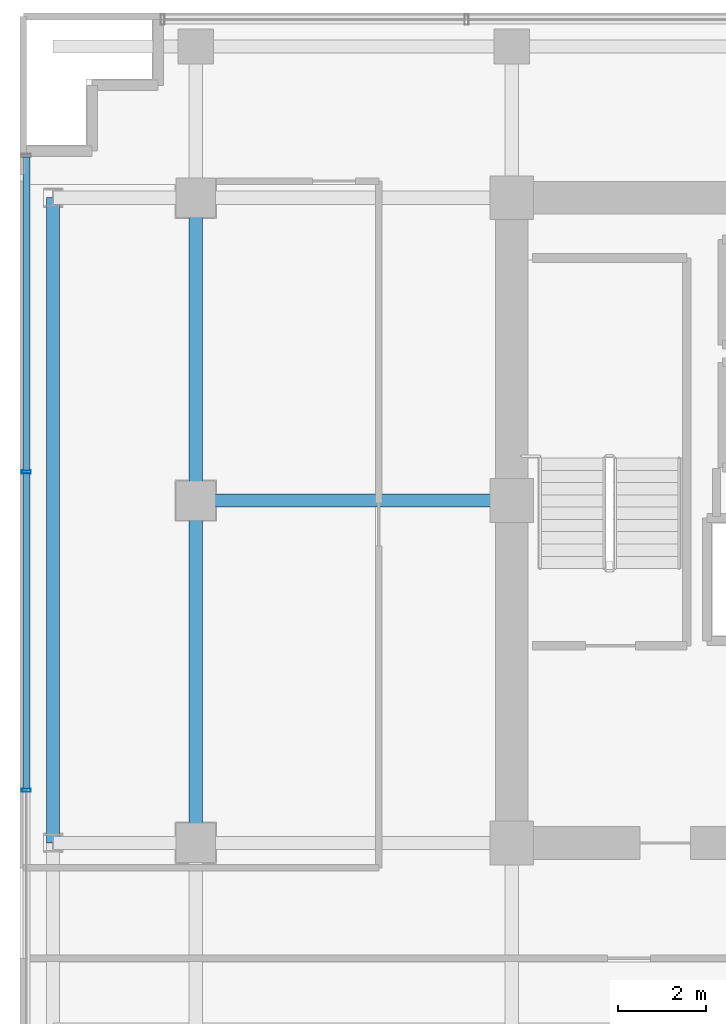
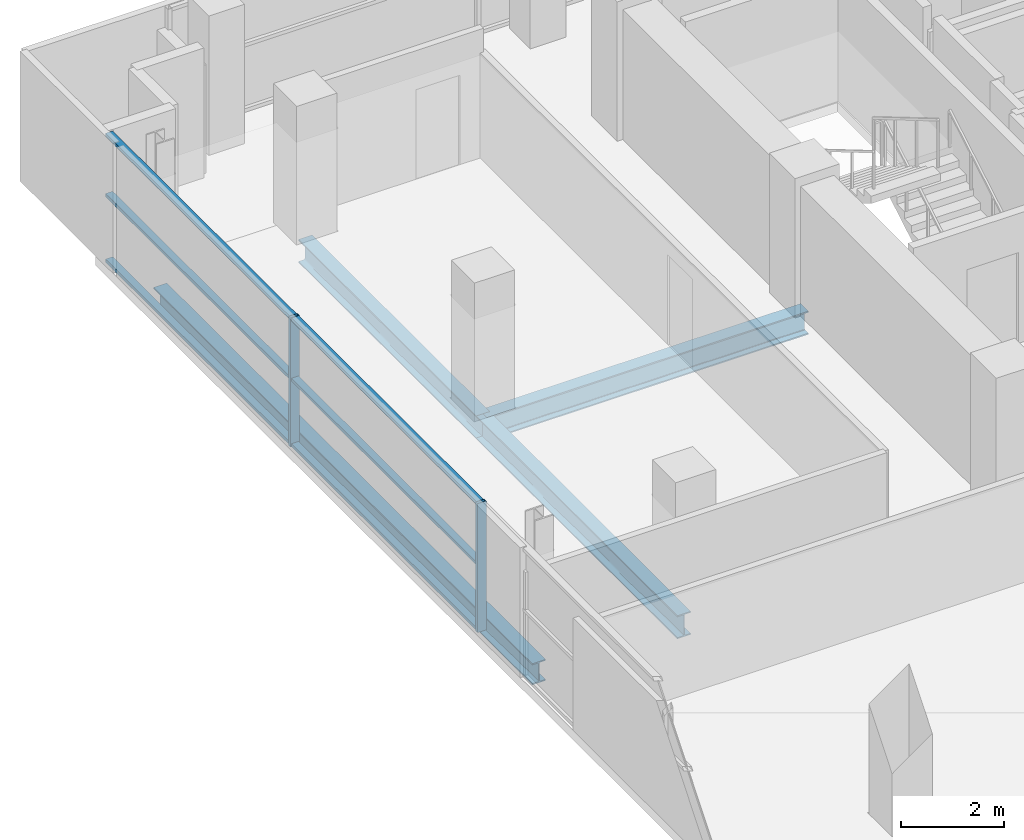
# One storey, part 9 of 25: 8 members, 4 beams, 1 element without a shape of its own.
"""IFC4 building model written with IfcOpenShell, lengths in metres."""

from ifc_helpers import new_model, si_unit, direction, frame, origin, origin_2d, place, context, subcontext, project, spatial, hollow_rectangle, i_section, extrude, source, transform, mapped, material, layer, layer_set, material_profile, profile_set, type_object, element, aggregate, save


model = new_model("IFC4")

# Units and contexts
model_context = context("Model", 3, precision=1e-05, world=origin(), true_north=direction((0.0, 1.0)))
body_context = subcontext(model_context, "Body", "Model", "MODEL_VIEW")
ifc_project = project(units=[si_unit("LENGTHUNIT", "METRE"), si_unit("AREAUNIT", "SQUARE_METRE"), si_unit("VOLUMEUNIT", "CUBIC_METRE"), si_unit("PLANEANGLEUNIT", "RADIAN"), si_unit("MASSUNIT", "GRAM", prefix="KILO")], contexts=[model_context])

# Site, building, storey
site_placement = place(None, origin())
site = spatial("IfcSite", under=ifc_project, at=site_placement, CompositionType="ELEMENT")
building_placement = place(site_placement, origin())
building = spatial("IfcBuilding", under=site, at=building_placement, Name="Zarnakvel Exchange Tower", CompositionType="ELEMENT")
storey_placement = place(building_placement, frame((0.0, 0.0, 126.39990234375)))
storey = spatial("IfcBuildingStorey", under=building, at=storey_placement, Name="L35", CompositionType="ELEMENT", Elevation=126.39990234375)

# Beams
ifc_material_1 = material(Name="Steel S355", Category="steel")
ifc_material_profile_1 = material_profile(ifc_material_1, i_section(OverallWidth=0.300048828125, OverallDepth=0.550048828125, WebThickness=0.014892578125, FlangeThickness=0.029052734375, FilletRadius=0.027099609375, at=origin_2d()))
ifc_profile_set_1 = profile_set([ifc_material_profile_1], Name="Steel S355")
beam_type_1 = type_object("IfcBeamType", Name="G-05", PredefinedType="BEAM", material=ifc_profile_set_1)
beam_1_placement = place(storey_placement, frame((-21.60009765625, 6.60009765625, -0.5), z_axis=(1.0, 0.0, 0.0), x_axis=(0.0, 1.0, 0.0)))
element("IfcBeam", 1, at=beam_1_placement, inside=storey, type_object=beam_type_1, Name="L35 Tower E-W Frame Beam", PredefinedType="BEAM", context=body_context, shape_type="SweptSolid", body=[
    extrude(i_section(OverallWidth=0.300048828125, OverallDepth=0.550048828125, WebThickness=0.014892578125, FlangeThickness=0.029052734375, FilletRadius=0.027099609375, at=origin_2d()), origin(), (0.0, 0.0, 1.0), 7.2001953125),
])
beam_2_placement = place(storey_placement, frame((-21.60009765625, -1.199951171875, -0.5), z_axis=(0.0, 1.0, 0.0), x_axis=(-1.0, 0.0, 0.0)))
element("IfcBeam", 2, at=beam_2_placement, inside=storey, type_object=beam_type_1, Name="L35 Tower N-S Frame Beam", PredefinedType="BEAM", context=body_context, shape_type="SweptSolid", body=[
    extrude(i_section(OverallWidth=0.300048828125, OverallDepth=0.550048828125, WebThickness=0.014892578125, FlangeThickness=0.029052734375, FilletRadius=0.027099609375, at=origin_2d()), origin(), (0.0, 0.0, 1.0), 7.800048828125),
])
beam_3_placement = place(storey_placement, frame((-21.60009765625, 6.60009765625, -0.5), z_axis=(0.0, 1.0, 0.0), x_axis=(-1.0, 0.0, 0.0)))
element("IfcBeam", 3, at=beam_3_placement, inside=storey, type_object=beam_type_1, Name="L35 Tower N-S Frame Beam", PredefinedType="BEAM", context=body_context, shape_type="SweptSolid", body=[
    extrude(i_section(OverallWidth=0.300048828125, OverallDepth=0.550048828125, WebThickness=0.014892578125, FlangeThickness=0.029052734375, FilletRadius=0.027099609375, at=origin_2d()), origin(), (0.0, 0.0, 1.0), 6.89990234375),
])
ifc_material_profile_2 = material_profile(ifc_material_1, i_section(OverallWidth=0.300048828125, OverallDepth=0.5, WebThickness=0.014404296875, FlangeThickness=0.028076171875, FilletRadius=0.027099609375, at=origin_2d()))
ifc_profile_set_2 = profile_set([ifc_material_profile_2], Name="Steel S355")
beam_type_2 = type_object("IfcBeamType", Name="SP-02", PredefinedType="SPANDREL", material=ifc_profile_set_2)
beam_4_placement = place(storey_placement, frame((-24.85009765625, -1.199951171875, -0.474853515625), z_axis=(0.0, 1.0, 0.0), x_axis=(-1.0, 0.0, 0.0)))
element("IfcBeam", 4, at=beam_4_placement, inside=storey, type_object=beam_type_2, Name="L35 Tower N-S Frame Beam", PredefinedType="SPANDREL", context=body_context, shape_type="SweptSolid", body=[
    extrude(i_section(OverallWidth=0.300048828125, OverallDepth=0.5, WebThickness=0.014404296875, FlangeThickness=0.028076171875, FilletRadius=0.027099609375, at=origin_2d()), origin(), (0.0, 0.0, 1.0), 14.699951171875),
])

# Curtain wall, members
ifc_material_2 = material(Name="Architectural Bronze Anodised Aluminium", Category="aluminium")
ifc_layer = layer(ifc_material_2, 0.199951171875)
ifc_layer_set = layer_set([ifc_layer], Name="Architectural Bronze Anodised Aluminium")
curtain_wall_type = type_object("IfcCurtainWallType", Name="CW-04", PredefinedType="NOTDEFINED", material=ifc_layer_set)
curtain_wall_placement = place(storey_placement, origin())
curtain_wall = element("IfcCurtainWall", 5, at=curtain_wall_placement, inside=storey, type_object=curtain_wall_type, Name="L35 Curtain Wall CW-L35-W1 (CW-04)", PredefinedType="NOTDEFINED")
ifc_material_profile_3 = material_profile(ifc_material_2, hollow_rectangle(XDim=0.199951171875, YDim=0.074951171875, WallThickness=0.0048828125, at=origin_2d()))
ifc_profile_set_3 = profile_set([ifc_material_profile_3], Name="Architectural Bronze Anodised Aluminium")
member_type_1 = type_object("IfcMemberType", Name="CWM-04", PredefinedType="MULLION", material=ifc_profile_set_3)
shared_shape_1 = source(origin(), body_context, "Body", "SweptSolid", [
    extrude(hollow_rectangle(XDim=0.199951171875, YDim=0.074951171875, WallThickness=0.0048828125, at=origin_2d()), origin(), (0.0, 0.0, 1.0), 3.05517578125),
])
member_1_placement = place(storey_placement, frame((-25.4599609375, 0.0, 0.0), z_axis=(0.0, 0.0, 1.0), x_axis=(-1.0, 0.0, 0.0)))
member_1 = element("IfcMember", 6, at=member_1_placement, type_object=member_type_1, Name="CW-04 mullion 3", PredefinedType="MULLION", context=body_context, shape_type="MappedRepresentation", body=[
    mapped(shared_shape_1, transform((0.0, 0.0, 0.0), x_axis=(1.0, 0.0, 0.0), y_axis=(0.0, 1.0, 0.0), z_axis=(0.0, 0.0, 1.0), scale=1.0)),
])
member_2_placement = place(storey_placement, frame((-25.4599609375, 7.25, 0.0), z_axis=(0.0, 0.0, 1.0), x_axis=(-1.0, 0.0, 0.0)))
member_2 = element("IfcMember", 7, at=member_2_placement, type_object=member_type_1, Name="CW-04 mullion 4", PredefinedType="MULLION", context=body_context, shape_type="MappedRepresentation", body=[
    mapped(shared_shape_1, transform((0.0, 0.0, 0.0), x_axis=(1.0, 0.0, 0.0), y_axis=(0.0, 1.0, 0.0), z_axis=(0.0, 0.0, 1.0), scale=1.0)),
])
ifc_material_profile_4 = material_profile(ifc_material_2, hollow_rectangle(XDim=0.159912109375, YDim=0.074951171875, WallThickness=0.00390625, at=origin_2d()))
ifc_profile_set_4 = profile_set([ifc_material_profile_4], Name="Architectural Bronze Anodised Aluminium")
member_type_2 = type_object("IfcMemberType", Name="CWT-04", PredefinedType="USERDEFINED", material=ifc_profile_set_4)
shared_shape_2 = source(origin(), body_context, "Body", "SweptSolid", [
    extrude(hollow_rectangle(XDim=0.159912109375, YDim=0.074951171875, WallThickness=0.00390625, at=origin_2d()), origin(), (0.0, 0.0, 1.0), 7.137451171875),
])
member_3_placement = place(storey_placement, frame((-25.4599609375, 7.28759765625, 0.03759765625), z_axis=(0.0, 1.0, 0.0), x_axis=(-1.0, 0.0, 0.0)))
member_3 = element("IfcMember", 8, at=member_3_placement, type_object=member_type_2, Name="CW-04 transom 4.1", ObjectType="TRANSOM", PredefinedType="USERDEFINED", context=body_context, shape_type="MappedRepresentation", body=[
    mapped(shared_shape_2, transform((0.0, 0.0, 0.0), x_axis=(1.0, 0.0, 0.0), y_axis=(0.0, 1.0, 0.0), z_axis=(0.0, 0.0, 1.0), scale=1.0)),
])
member_4_placement = place(storey_placement, frame((-25.4599609375, 7.28759765625, 1.588623046875), z_axis=(0.0, 1.0, 0.0), x_axis=(-1.0, 0.0, 0.0)))
member_4 = element("IfcMember", 9, at=member_4_placement, type_object=member_type_2, Name="CW-04 transom 4.2", ObjectType="TRANSOM", PredefinedType="USERDEFINED", context=body_context, shape_type="MappedRepresentation", body=[
    mapped(shared_shape_2, transform((0.0, 0.0, 0.0), x_axis=(1.0, 0.0, 0.0), y_axis=(0.0, 1.0, 0.0), z_axis=(0.0, 0.0, 1.0), scale=1.0)),
])
member_5_placement = place(storey_placement, frame((-25.4599609375, 7.28759765625, 3.017578125), z_axis=(0.0, 1.0, 0.0), x_axis=(-1.0, 0.0, 0.0)))
member_5 = element("IfcMember", 10, at=member_5_placement, type_object=member_type_2, Name="CW-04 transom 4.3", ObjectType="TRANSOM", PredefinedType="USERDEFINED", context=body_context, shape_type="MappedRepresentation", body=[
    mapped(shared_shape_2, transform((0.0, 0.0, 0.0), x_axis=(1.0, 0.0, 0.0), y_axis=(0.0, 1.0, 0.0), z_axis=(0.0, 0.0, 1.0), scale=1.0)),
])
shared_shape_3 = source(origin(), body_context, "Body", "SweptSolid", [
    extrude(hollow_rectangle(XDim=0.159912109375, YDim=0.074951171875, WallThickness=0.00390625, at=origin_2d()), origin(), (0.0, 0.0, 1.0), 7.1748046875),
])
member_6_placement = place(storey_placement, frame((-25.4599609375, 0.03759765625, 0.03759765625), z_axis=(0.0, 1.0, 0.0), x_axis=(-1.0, 0.0, 0.0)))
member_6 = element("IfcMember", 11, at=member_6_placement, type_object=member_type_2, Name="CW-04 transom 3.1", ObjectType="TRANSOM", PredefinedType="USERDEFINED", context=body_context, shape_type="MappedRepresentation", body=[
    mapped(shared_shape_3, transform((0.0, 0.0, 0.0), x_axis=(1.0, 0.0, 0.0), y_axis=(0.0, 1.0, 0.0), z_axis=(0.0, 0.0, 1.0), scale=1.0)),
])
member_7_placement = place(storey_placement, frame((-25.4599609375, 0.03759765625, 1.588623046875), z_axis=(0.0, 1.0, 0.0), x_axis=(-1.0, 0.0, 0.0)))
member_7 = element("IfcMember", 12, at=member_7_placement, type_object=member_type_2, Name="CW-04 transom 3.2", ObjectType="TRANSOM", PredefinedType="USERDEFINED", context=body_context, shape_type="MappedRepresentation", body=[
    mapped(shared_shape_3, transform((0.0, 0.0, 0.0), x_axis=(1.0, 0.0, 0.0), y_axis=(0.0, 1.0, 0.0), z_axis=(0.0, 0.0, 1.0), scale=1.0)),
])
member_8_placement = place(storey_placement, frame((-25.4599609375, 0.03759765625, 3.017578125), z_axis=(0.0, 1.0, 0.0), x_axis=(-1.0, 0.0, 0.0)))
member_8 = element("IfcMember", 13, at=member_8_placement, type_object=member_type_2, Name="CW-04 transom 3.3", ObjectType="TRANSOM", PredefinedType="USERDEFINED", context=body_context, shape_type="MappedRepresentation", body=[
    mapped(shared_shape_3, transform((0.0, 0.0, 0.0), x_axis=(1.0, 0.0, 0.0), y_axis=(0.0, 1.0, 0.0), z_axis=(0.0, 0.0, 1.0), scale=1.0)),
])
aggregate(curtain_wall, [member_1, member_2, member_6, member_7, member_8, member_3, member_4, member_5])

save(model, "model.ifc")
